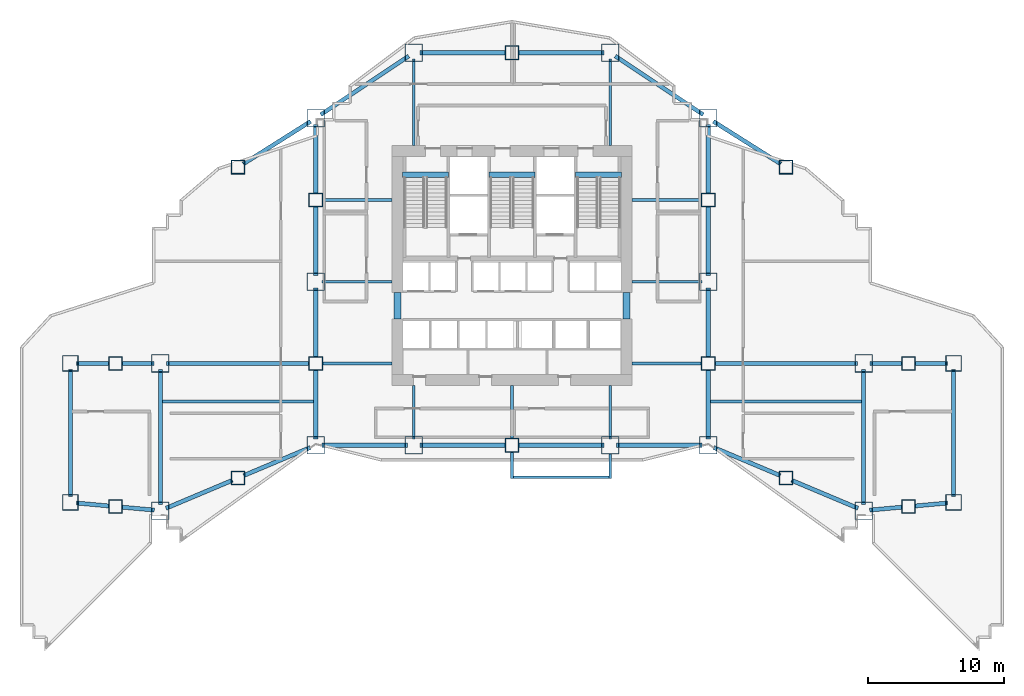
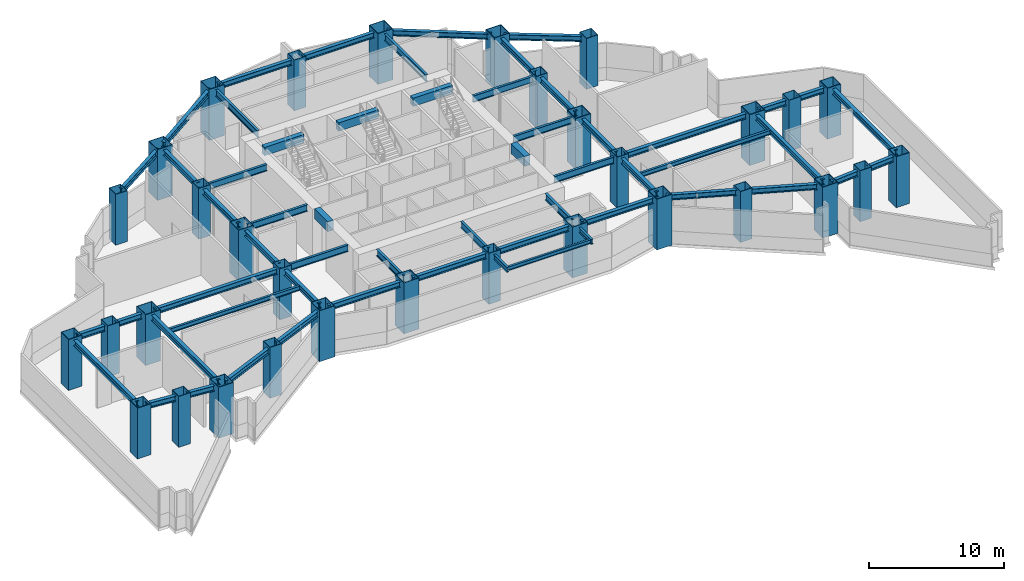
# One storey, part 1 of 12: 57 beams, 32 columns.
"""IFC4 building model written with IfcOpenShell, lengths in metres."""

from ifc_helpers import new_model, si_unit, direction, frame, origin, origin_2d, place, context, subcontext, project, spatial, rectangle, hollow_rectangle, i_section, extrude, material, material_profile, profile_set, type_object, element, save


model = new_model("IFC4")

# Units and contexts
model_context = context("Model", 3, precision=1e-05, world=origin(), true_north=direction((0.0, 1.0)))
body_context = subcontext(model_context, "Body", "Model", "MODEL_VIEW")
ifc_project = project(units=[si_unit("LENGTHUNIT", "METRE"), si_unit("AREAUNIT", "SQUARE_METRE"), si_unit("VOLUMEUNIT", "CUBIC_METRE"), si_unit("PLANEANGLEUNIT", "RADIAN"), si_unit("MASSUNIT", "GRAM", prefix="KILO")], contexts=[model_context])

# Site, building, storey
site_placement = place(None, origin())
site = spatial("IfcSite", under=ifc_project, at=site_placement, CompositionType="ELEMENT")
building_placement = place(site_placement, origin())
building = spatial("IfcBuilding", under=site, at=building_placement, Name="Haolan Belvedere Tower", CompositionType="ELEMENT")
storey_placement = place(building_placement, frame((0.0, 0.0, 43.0)))
storey = spatial("IfcBuildingStorey", under=building, at=storey_placement, Name="L10", CompositionType="ELEMENT", Elevation=43.0)

# Columns
ifc_material_1 = material(Name="Steel Q420GJC", Category="steel")
ifc_material_profile_1 = material_profile(ifc_material_1, hollow_rectangle(XDim=1.0, YDim=1.0, WallThickness=0.0380859375, at=origin_2d()), Name="Steel Q420GJC")
ifc_profile_set_1 = profile_set([ifc_material_profile_1], Name="Steel Q420GJC")
column_type_1 = type_object("IfcColumnType", Name="COL-BOX1000x1000x38", PredefinedType="COLUMN", material=ifc_profile_set_1)
for number, where, z_axis, x_axis, name in (
    (1, (24.0, 27.60009765625, 0.0), (0.0, 0.0, 1.0), (1.0, 0.0, 0.0), "L10 column TC-T3-W1 (BOX1000x1000x38)"),
    (2, (24.0, 39.60009765625, 0.0), (0.0, 0.0, 1.0), (1.0, 0.0, 0.0), "L10 column TC-T3-W2 (BOX1000x1000x38)"),
    (3, (52.800048828125, 27.60009765625, 0.0), (0.0, 0.0, 1.0), (1.0, 0.0, 0.0), "L10 column TC-T3-E1 (BOX1000x1000x38)"),
    (4, (52.800048828125, 39.60009765625, 0.0), (0.0, 0.0, 1.0), (1.0, 0.0, 0.0), "L10 column TC-T3-E2 (BOX1000x1000x38)"),
    (5, (38.39990234375, 21.60009765625, 0.0), (0.0, 0.0, 1.0), (1.0, 0.0, 0.0), "L10 column TC-T3-SM (BOX1000x1000x38)"),
    (6, (38.39990234375, 50.39990234375, 0.0), (0.0, 0.0, 1.0), (1.0, 0.0, 0.0), "L10 column TC-T3-NM (BOX1000x1000x38)"),
    (7, (18.300048828125, 19.199951171875, 0.0), (0.0, 0.0, 1.0), (1.0, 0.0, 0.0), "L10 column TC-T2-S1 (BOX1000x1000x38)"),
    (8, (18.300048828125, 42.0, 0.0), (0.0, 0.0, 1.0), (1.0, 0.0, 0.0), "L10 column TC-T2-N1 (BOX1000x1000x38)"),
    (9, (58.5, 19.199951171875, 0.0), (0.0, 0.0, 1.0), (1.0, 0.0, 0.0), "L10 column TC-T4-S1 (BOX1000x1000x38)"),
    (10, (58.5, 42.0, 0.0), (0.0, 0.0, 1.0), (1.0, 0.0, 0.0), "L10 column TC-T4-N1 (BOX1000x1000x38)"),
    (11, (9.300048828125, 17.10009765625, 0.0), (0.0, 0.0, 1.0), (1.0, 0.0, 0.0), "L10 column TC-T1-M1 (BOX1000x1000x38)"),
    (12, (9.300048828125, 27.60009765625, 0.0), (0.0, 0.0, 1.0), (1.0, 0.0, 0.0), "L10 column TC-T1-M2 (BOX1000x1000x38)"),
    (13, (67.5, 17.10009765625, 0.0), (0.0, 0.0, 1.0), (1.0, 0.0, 0.0), "L10 column TC-T5-M1 (BOX1000x1000x38)"),
    (14, (67.5, 27.60009765625, 0.0), (0.0, 0.0, 1.0), (1.0, 0.0, 0.0), "L10 column TC-T5-M2 (BOX1000x1000x38)"),
):
    element("IfcColumn", number, at=place(storey_placement, frame(where, z_axis=z_axis, x_axis=x_axis)), inside=storey, type_object=column_type_1, Name=name, PredefinedType="COLUMN", context=body_context, shape_type="SweptSolid", body=[
        extrude(hollow_rectangle(XDim=1.0, YDim=1.0, WallThickness=0.0380859375, at=origin_2d()), origin(), (0.0, 0.0, 1.0), 4.60009765625),
    ])
ifc_material_2 = material(Name="Steel Q355B", Category="steel")
ifc_material_profile_2 = material_profile(ifc_material_2, hollow_rectangle(XDim=1.14990234375, YDim=1.14990234375, WallThickness=0.0419921875, at=origin_2d()), Name="Steel Q355B")
ifc_profile_set_2 = profile_set([ifc_material_profile_2], Name="Steel Q355B")
column_type_2 = type_object("IfcColumnType", Name="COL-BOX1150x1150x42", PredefinedType="COLUMN", material=ifc_profile_set_2)
for number, where, z_axis, x_axis, name in (
    (15, (6.0, 17.39990234375, 0.0), (0.0, 0.0, 1.0), (1.0, 0.0, 0.0), "L10 column MC-T1-SW (BOX1150x1150x42)"),
    (16, (6.0, 27.60009765625, 0.0), (0.0, 0.0, 1.0), (1.0, 0.0, 0.0), "L10 column MC-T1-NW (BOX1150x1150x42)"),
    (17, (70.800048828125, 17.39990234375, 0.0), (0.0, 0.0, 1.0), (1.0, 0.0, 0.0), "L10 column MC-T5-SE (BOX1150x1150x42)"),
    (18, (70.800048828125, 27.60009765625, 0.0), (0.0, 0.0, 1.0), (1.0, 0.0, 0.0), "L10 column MC-T5-NE (BOX1150x1150x42)"),
):
    element("IfcColumn", number, at=place(storey_placement, frame(where, z_axis=z_axis, x_axis=x_axis)), inside=storey, type_object=column_type_2, Name=name, PredefinedType="COLUMN", context=body_context, shape_type="SweptSolid", body=[
        extrude(hollow_rectangle(XDim=1.14990234375, YDim=1.14990234375, WallThickness=0.0419921875, at=origin_2d()), origin(), (0.0, 0.0, 1.0), 4.60009765625),
    ])
ifc_material_profile_3 = material_profile(ifc_material_2, hollow_rectangle(XDim=1.300048828125, YDim=1.300048828125, WallThickness=0.048095703125, at=origin_2d()), Name="Steel Q355B")
ifc_profile_set_3 = profile_set([ifc_material_profile_3], Name="Steel Q355B")
column_type_3 = type_object("IfcColumnType", Name="COL-BOX1300x1300x48", PredefinedType="COLUMN", material=ifc_profile_set_3)
for number, where, z_axis, x_axis, name in (
    (19, (24.0, 21.60009765625, 0.0), (0.0, 0.0, 1.0), (1.0, 0.0, 0.0), "L10 column MC-T3-SW (BOX1300x1300x48)"),
    (20, (24.0, 33.60009765625, 0.0), (0.0, 0.0, 1.0), (1.0, 0.0, 0.0), "L10 column MC-T3-MW (BOX1300x1300x48)"),
    (21, (24.0, 45.60009765625, 0.0), (0.0, 0.0, 1.0), (1.0, 0.0, 0.0), "L10 column MC-T3-NW (BOX1300x1300x48)"),
    (22, (52.800048828125, 21.60009765625, 0.0), (0.0, 0.0, 1.0), (1.0, 0.0, 0.0), "L10 column MC-T3-SE (BOX1300x1300x48)"),
    (23, (52.800048828125, 33.60009765625, 0.0), (0.0, 0.0, 1.0), (1.0, 0.0, 0.0), "L10 column MC-T3-ME (BOX1300x1300x48)"),
    (24, (52.800048828125, 45.60009765625, 0.0), (0.0, 0.0, 1.0), (1.0, 0.0, 0.0), "L10 column MC-T3-NE (BOX1300x1300x48)"),
    (25, (31.199951171875, 21.60009765625, 0.0), (0.0, 0.0, 1.0), (1.0, 0.0, 0.0), "L10 column MC-T3-S1 (BOX1300x1300x48)"),
    (26, (45.60009765625, 21.60009765625, 0.0), (0.0, 0.0, 1.0), (1.0, 0.0, 0.0), "L10 column MC-T3-S2 (BOX1300x1300x48)"),
    (27, (31.199951171875, 50.39990234375, 0.0), (0.0, 0.0, 1.0), (1.0, 0.0, 0.0), "L10 column MC-T3-N1 (BOX1300x1300x48)"),
    (28, (45.60009765625, 50.39990234375, 0.0), (0.0, 0.0, 1.0), (1.0, 0.0, 0.0), "L10 column MC-T3-N2 (BOX1300x1300x48)"),
    (29, (12.60009765625, 16.800048828125, 0.0), (0.0, 0.0, 1.0), (1.0, 0.0, 0.0), "L10 column MC-T2-SW (BOX1300x1300x48)"),
    (30, (12.60009765625, 27.60009765625, 0.0), (0.0, 0.0, 1.0), (1.0, 0.0, 0.0), "L10 column MC-T2-MW (BOX1300x1300x48)"),
    (31, (64.199951171875, 16.800048828125, 0.0), (0.0, 0.0, 1.0), (1.0, 0.0, 0.0), "L10 column MC-T4-SE (BOX1300x1300x48)"),
    (32, (64.199951171875, 27.60009765625, 0.0), (0.0, 0.0, 1.0), (1.0, 0.0, 0.0), "L10 column MC-T4-ME (BOX1300x1300x48)"),
):
    element("IfcColumn", number, at=place(storey_placement, frame(where, z_axis=z_axis, x_axis=x_axis)), inside=storey, type_object=column_type_3, Name=name, PredefinedType="COLUMN", context=body_context, shape_type="SweptSolid", body=[
        extrude(hollow_rectangle(XDim=1.300048828125, YDim=1.300048828125, WallThickness=0.048095703125, at=origin_2d()), origin(), (0.0, 0.0, 1.0), 4.60009765625),
    ])

# Beams
ifc_material_profile_4 = material_profile(ifc_material_2, i_section(OverallWidth=0.300048828125, OverallDepth=0.488037109375, WebThickness=0.010986328125, FlangeThickness=0.01806640625, FilletRadius=0.02587890625, at=origin_2d()), Name="Steel Q355B")
ifc_profile_set_4 = profile_set([ifc_material_profile_4], Name="Steel Q355B")
beam_type_1 = type_object("IfcBeamType", Name="BM-HM488x300x11x18", PredefinedType="SPANDREL", material=ifc_profile_set_4)
for number, where, z_axis, x_axis, name in (
    (33, (24.0, 22.050048828125, 4.156005859375), (0.0, 1.0, 0.0), (-1.0, 0.0, 0.0), "L10 spandrel girder MC-T3-SW-TC-T3-W1"),
    (34, (24.0, 28.050048828125, 4.156005859375), (0.0, 1.0, 0.0), (-1.0, 0.0, 0.0), "L10 spandrel girder TC-T3-W1-MC-T3-MW"),
    (35, (24.0, 34.050048828125, 4.156005859375), (0.0, 1.0, 0.0), (-1.0, 0.0, 0.0), "L10 spandrel girder MC-T3-MW-TC-T3-W2"),
    (36, (24.0, 40.050048828125, 4.156005859375), (0.0, 1.0, 0.0), (-1.0, 0.0, 0.0), "L10 spandrel girder TC-T3-W2-MC-T3-NW"),
    (37, (52.800048828125, 22.050048828125, 4.156005859375), (0.0, 1.0, 0.0), (-1.0, 0.0, 0.0), "L10 spandrel girder MC-T3-SE-TC-T3-E1"),
    (38, (52.800048828125, 28.050048828125, 4.156005859375), (0.0, 1.0, 0.0), (-1.0, 0.0, 0.0), "L10 spandrel girder TC-T3-E1-MC-T3-ME"),
    (39, (52.800048828125, 34.050048828125, 4.156005859375), (0.0, 1.0, 0.0), (-1.0, 0.0, 0.0), "L10 spandrel girder MC-T3-ME-TC-T3-E2"),
    (40, (52.800048828125, 40.050048828125, 4.156005859375), (0.0, 1.0, 0.0), (-1.0, 0.0, 0.0), "L10 spandrel girder TC-T3-E2-MC-T3-NE"),
):
    element("IfcBeam", number, at=place(storey_placement, frame(where, z_axis=z_axis, x_axis=x_axis)), inside=storey, type_object=beam_type_1, Name=name, PredefinedType="SPANDREL", context=body_context, shape_type="SweptSolid", body=[
        extrude(i_section(OverallWidth=0.300048828125, OverallDepth=0.488037109375, WebThickness=0.010986328125, FlangeThickness=0.01806640625, FilletRadius=0.02587890625, at=origin_2d()), origin(), (0.0, 0.0, 1.0), 5.099853515625),
    ])
for number, where, z_axis, x_axis, name in (
    (41, (24.449951171875, 21.60009765625, 4.156005859375), (1.0, 0.0, 0.0), (0.0, 1.0, 0.0), "L10 spandrel girder MC-T3-SW-MC-T3-S1"),
    (42, (31.64990234375, 21.60009765625, 4.156005859375), (1.0, 0.0, 0.0), (0.0, 1.0, 0.0), "L10 spandrel girder MC-T3-S1-TC-T3-SM"),
):
    element("IfcBeam", number, at=place(storey_placement, frame(where, z_axis=z_axis, x_axis=x_axis)), inside=storey, type_object=beam_type_1, Name=name, PredefinedType="SPANDREL", context=body_context, shape_type="SweptSolid", body=[
        extrude(i_section(OverallWidth=0.300048828125, OverallDepth=0.488037109375, WebThickness=0.010986328125, FlangeThickness=0.01806640625, FilletRadius=0.02587890625, at=origin_2d()), origin(), (0.0, 0.0, 1.0), 6.300048828125),
    ])
beam_1_placement = place(storey_placement, frame((38.85009765625, 21.60009765625, 4.156005859375), z_axis=(1.0, 0.0, 0.0), x_axis=(0.0, 1.0, 0.0)))
element("IfcBeam", 43, at=beam_1_placement, inside=storey, type_object=beam_type_1, Name="L10 spandrel girder TC-T3-SM-MC-T3-S2", PredefinedType="SPANDREL", context=body_context, shape_type="SweptSolid", body=[
    extrude(i_section(OverallWidth=0.300048828125, OverallDepth=0.488037109375, WebThickness=0.010986328125, FlangeThickness=0.01806640625, FilletRadius=0.02587890625, at=origin_2d()), origin(), (0.0, 0.0, 1.0), 6.2998046875),
])
beam_2_placement = place(storey_placement, frame((46.050048828125, 21.60009765625, 4.156005859375), z_axis=(1.0, 0.0, 0.0), x_axis=(0.0, 1.0, 0.0)))
element("IfcBeam", 44, at=beam_2_placement, inside=storey, type_object=beam_type_1, Name="L10 spandrel girder MC-T3-S2-MC-T3-SE", PredefinedType="SPANDREL", context=body_context, shape_type="SweptSolid", body=[
    extrude(i_section(OverallWidth=0.300048828125, OverallDepth=0.488037109375, WebThickness=0.010986328125, FlangeThickness=0.01806640625, FilletRadius=0.02587890625, at=origin_2d()), origin(), (0.0, 0.0, 1.0), 6.300048828125),
])
beam_3_placement = place(storey_placement, frame((24.37451171875, 45.849609375, 4.156005859375), z_axis=(0.832050294338, 0.554700196225, 0.0), x_axis=(-0.554700196225, 0.832050294338, 0.0)))
element("IfcBeam", 45, at=beam_3_placement, inside=storey, type_object=beam_type_1, Name="L10 spandrel girder MC-T3-NW-MC-T3-N1", PredefinedType="SPANDREL", context=body_context, shape_type="SweptSolid", body=[
    extrude(i_section(OverallWidth=0.300048828125, OverallDepth=0.488037109375, WebThickness=0.010986328125, FlangeThickness=0.01806640625, FilletRadius=0.02587890625, at=origin_2d()), origin(), (0.0, 0.0, 1.0), 7.75341796875),
])
beam_4_placement = place(storey_placement, frame((31.64990234375, 50.39990234375, 4.156005859375), z_axis=(1.0, 0.0, 0.0), x_axis=(0.0, 1.0, 0.0)))
element("IfcBeam", 46, at=beam_4_placement, inside=storey, type_object=beam_type_1, Name="L10 spandrel girder MC-T3-N1-TC-T3-NM", PredefinedType="SPANDREL", context=body_context, shape_type="SweptSolid", body=[
    extrude(i_section(OverallWidth=0.300048828125, OverallDepth=0.488037109375, WebThickness=0.010986328125, FlangeThickness=0.01806640625, FilletRadius=0.02587890625, at=origin_2d()), origin(), (0.0, 0.0, 1.0), 6.300048828125),
])
beam_5_placement = place(storey_placement, frame((38.85009765625, 50.39990234375, 4.156005859375), z_axis=(1.0, 0.0, 0.0), x_axis=(0.0, 1.0, 0.0)))
element("IfcBeam", 47, at=beam_5_placement, inside=storey, type_object=beam_type_1, Name="L10 spandrel girder TC-T3-NM-MC-T3-N2", PredefinedType="SPANDREL", context=body_context, shape_type="SweptSolid", body=[
    extrude(i_section(OverallWidth=0.300048828125, OverallDepth=0.488037109375, WebThickness=0.010986328125, FlangeThickness=0.01806640625, FilletRadius=0.02587890625, at=origin_2d()), origin(), (0.0, 0.0, 1.0), 6.2998046875),
])
beam_6_placement = place(storey_placement, frame((45.974365234375, 50.150390625, 4.156005859375), z_axis=(0.832050294338, -0.554700196225, 0.0), x_axis=(0.554700196225, 0.832050294338, 0.0)))
element("IfcBeam", 48, at=beam_6_placement, inside=storey, type_object=beam_type_1, Name="L10 spandrel girder MC-T3-N2-MC-T3-NE", PredefinedType="SPANDREL", context=body_context, shape_type="SweptSolid", body=[
    extrude(i_section(OverallWidth=0.300048828125, OverallDepth=0.488037109375, WebThickness=0.010986328125, FlangeThickness=0.01806640625, FilletRadius=0.02587890625, at=origin_2d()), origin(), (0.0, 0.0, 1.0), 7.75341796875),
])
beam_7_placement = place(storey_placement, frame((12.60009765625, 17.25, 4.156005859375), z_axis=(0.0, 1.0, 0.0), x_axis=(-1.0, 0.0, 0.0)))
element("IfcBeam", 49, at=beam_7_placement, inside=storey, type_object=beam_type_1, Name="L10 spandrel girder MC-T2-SW-MC-T2-MW", PredefinedType="SPANDREL", context=body_context, shape_type="SweptSolid", body=[
    extrude(i_section(OverallWidth=0.300048828125, OverallDepth=0.488037109375, WebThickness=0.010986328125, FlangeThickness=0.01806640625, FilletRadius=0.02587890625, at=origin_2d()), origin(), (0.0, 0.0, 1.0), 9.89990234375),
])
beam_8_placement = place(storey_placement, frame((13.0146484375, 16.974609375, 4.156005859375), z_axis=(0.921635375138, 0.388057000058, 0.0), x_axis=(-0.388057000058, 0.921635375138, 0.0)))
element("IfcBeam", 50, at=beam_8_placement, inside=storey, type_object=beam_type_1, Name="L10 spandrel girder MC-T2-SW-TC-T2-S1", PredefinedType="SPANDREL", context=body_context, shape_type="SweptSolid", body=[
    extrude(i_section(OverallWidth=0.300048828125, OverallDepth=0.488037109375, WebThickness=0.010986328125, FlangeThickness=0.01806640625, FilletRadius=0.02587890625, at=origin_2d()), origin(), (0.0, 0.0, 1.0), 5.28466796875),
])
beam_9_placement = place(storey_placement, frame((18.71484375, 19.37451171875, 4.156005859375), z_axis=(0.92162841793, 0.388073523014, 0.0), x_axis=(-0.388073523014, 0.92162841793, 0.0)))
element("IfcBeam", 51, at=beam_9_placement, inside=storey, type_object=beam_type_1, Name="L10 spandrel girder TC-T2-S1-MC-T3-SW", PredefinedType="SPANDREL", context=body_context, shape_type="SweptSolid", body=[
    extrude(i_section(OverallWidth=0.300048828125, OverallDepth=0.488037109375, WebThickness=0.010986328125, FlangeThickness=0.01806640625, FilletRadius=0.02587890625, at=origin_2d()), origin(), (0.0, 0.0, 1.0), 5.284423828125),
])
beam_10_placement = place(storey_placement, frame((18.680419921875, 42.240234375, 4.156005859375), z_axis=(0.845497840649, 0.533978839898, 0.0), x_axis=(-0.533978839898, 0.845497840649, 0.0)))
element("IfcBeam", 52, at=beam_10_placement, inside=storey, type_object=beam_type_1, Name="L10 spandrel girder TC-T2-N1-MC-T3-NW", PredefinedType="SPANDREL", context=body_context, shape_type="SweptSolid", body=[
    extrude(i_section(OverallWidth=0.300048828125, OverallDepth=0.488037109375, WebThickness=0.010986328125, FlangeThickness=0.01806640625, FilletRadius=0.02587890625, at=origin_2d()), origin(), (0.0, 0.0, 1.0), 5.841796875),
])
beam_11_placement = place(storey_placement, frame((13.050048828125, 27.60009765625, 4.156005859375), z_axis=(1.0, 0.0, 0.0), x_axis=(0.0, 1.0, 0.0)))
element("IfcBeam", 53, at=beam_11_placement, inside=storey, type_object=beam_type_1, Name="L10 spandrel girder MC-T2-MW-TC-T3-W1", PredefinedType="SPANDREL", context=body_context, shape_type="SweptSolid", body=[
    extrude(i_section(OverallWidth=0.300048828125, OverallDepth=0.488037109375, WebThickness=0.010986328125, FlangeThickness=0.01806640625, FilletRadius=0.02587890625, at=origin_2d()), origin(), (0.0, 0.0, 1.0), 10.5),
])
beam_12_placement = place(storey_placement, frame((64.199951171875, 17.25, 4.156005859375), z_axis=(0.0, 1.0, 0.0), x_axis=(-1.0, 0.0, 0.0)))
element("IfcBeam", 54, at=beam_12_placement, inside=storey, type_object=beam_type_1, Name="L10 spandrel girder MC-T4-SE-MC-T4-ME", PredefinedType="SPANDREL", context=body_context, shape_type="SweptSolid", body=[
    extrude(i_section(OverallWidth=0.300048828125, OverallDepth=0.488037109375, WebThickness=0.010986328125, FlangeThickness=0.01806640625, FilletRadius=0.02587890625, at=origin_2d()), origin(), (0.0, 0.0, 1.0), 9.89990234375),
])
for number, where, z_axis, x_axis, name in (
    (55, (53.21484375, 21.42529296875, 4.156005859375), (0.92162841793, -0.388073523014, 0.0), (0.388073523014, 0.92162841793, 0.0), "L10 spandrel girder MC-T3-SE-TC-T4-S1"),
    (56, (58.914794921875, 19.025390625, 4.156005859375), (0.92162841793, -0.388073523014, 0.0), (0.388073523014, 0.92162841793, 0.0), "L10 spandrel girder TC-T4-S1-MC-T4-SE"),
):
    element("IfcBeam", number, at=place(storey_placement, frame(where, z_axis=z_axis, x_axis=x_axis)), inside=storey, type_object=beam_type_1, Name=name, PredefinedType="SPANDREL", context=body_context, shape_type="SweptSolid", body=[
        extrude(i_section(OverallWidth=0.300048828125, OverallDepth=0.488037109375, WebThickness=0.010986328125, FlangeThickness=0.01806640625, FilletRadius=0.02587890625, at=origin_2d()), origin(), (0.0, 0.0, 1.0), 5.284423828125),
    ])
beam_13_placement = place(storey_placement, frame((53.180419921875, 45.359619140625, 4.156005859375), z_axis=(0.845497840649, -0.533978839898, 0.0), x_axis=(0.533978839898, 0.845497840649, 0.0)))
element("IfcBeam", 57, at=beam_13_placement, inside=storey, type_object=beam_type_1, Name="L10 spandrel girder MC-T3-NE-TC-T4-N1", PredefinedType="SPANDREL", context=body_context, shape_type="SweptSolid", body=[
    extrude(i_section(OverallWidth=0.300048828125, OverallDepth=0.488037109375, WebThickness=0.010986328125, FlangeThickness=0.01806640625, FilletRadius=0.02587890625, at=origin_2d()), origin(), (0.0, 0.0, 1.0), 5.841796875),
])
beam_14_placement = place(storey_placement, frame((53.25, 27.60009765625, 4.156005859375), z_axis=(1.0, 0.0, 0.0), x_axis=(0.0, 1.0, 0.0)))
element("IfcBeam", 58, at=beam_14_placement, inside=storey, type_object=beam_type_1, Name="L10 spandrel girder TC-T3-E1-MC-T4-ME", PredefinedType="SPANDREL", context=body_context, shape_type="SweptSolid", body=[
    extrude(i_section(OverallWidth=0.300048828125, OverallDepth=0.488037109375, WebThickness=0.010986328125, FlangeThickness=0.01806640625, FilletRadius=0.02587890625, at=origin_2d()), origin(), (0.0, 0.0, 1.0), 10.5),
])
beam_15_placement = place(storey_placement, frame((6.0, 17.85009765625, 4.156005859375), z_axis=(0.0, 1.0, 0.0), x_axis=(-1.0, 0.0, 0.0)))
element("IfcBeam", 59, at=beam_15_placement, inside=storey, type_object=beam_type_1, Name="L10 spandrel girder MC-T1-SW-MC-T1-NW", PredefinedType="SPANDREL", context=body_context, shape_type="SweptSolid", body=[
    extrude(i_section(OverallWidth=0.300048828125, OverallDepth=0.488037109375, WebThickness=0.010986328125, FlangeThickness=0.01806640625, FilletRadius=0.02587890625, at=origin_2d()), origin(), (0.0, 0.0, 1.0), 9.2998046875),
])
beam_16_placement = place(storey_placement, frame((6.4482421875, 17.359375, 4.156005859375), z_axis=(0.995884080761, -0.090636072764, 0.0), x_axis=(0.090636072764, 0.995884080761, 0.0)))
element("IfcBeam", 60, at=beam_16_placement, inside=storey, type_object=beam_type_1, Name="L10 spandrel girder MC-T1-SW-TC-T1-M1", PredefinedType="SPANDREL", context=body_context, shape_type="SweptSolid", body=[
    extrude(i_section(OverallWidth=0.300048828125, OverallDepth=0.488037109375, WebThickness=0.010986328125, FlangeThickness=0.01806640625, FilletRadius=0.02587890625, at=origin_2d()), origin(), (0.0, 0.0, 1.0), 2.41357421875),
])
beam_17_placement = place(storey_placement, frame((9.748046875, 17.059326171875, 4.156005859375), z_axis=(0.9958940355, -0.090526626221, 0.0), x_axis=(0.090526626221, 0.9958940355, 0.0)))
element("IfcBeam", 61, at=beam_17_placement, inside=storey, type_object=beam_type_1, Name="L10 spandrel girder TC-T1-M1-MC-T2-SW", PredefinedType="SPANDREL", context=body_context, shape_type="SweptSolid", body=[
    extrude(i_section(OverallWidth=0.300048828125, OverallDepth=0.488037109375, WebThickness=0.010986328125, FlangeThickness=0.01806640625, FilletRadius=0.02587890625, at=origin_2d()), origin(), (0.0, 0.0, 1.0), 2.413818359375),
])
beam_18_placement = place(storey_placement, frame((6.449951171875, 27.60009765625, 4.156005859375), z_axis=(1.0, 0.0, 0.0), x_axis=(0.0, 1.0, 0.0)))
element("IfcBeam", 62, at=beam_18_placement, inside=storey, type_object=beam_type_1, Name="L10 spandrel girder MC-T1-NW-TC-T1-M2", PredefinedType="SPANDREL", context=body_context, shape_type="SweptSolid", body=[
    extrude(i_section(OverallWidth=0.300048828125, OverallDepth=0.488037109375, WebThickness=0.010986328125, FlangeThickness=0.01806640625, FilletRadius=0.02587890625, at=origin_2d()), origin(), (0.0, 0.0, 1.0), 2.400146484375),
])
beam_19_placement = place(storey_placement, frame((9.75, 27.60009765625, 4.156005859375), z_axis=(1.0, 0.0, 0.0), x_axis=(0.0, 1.0, 0.0)))
element("IfcBeam", 63, at=beam_19_placement, inside=storey, type_object=beam_type_1, Name="L10 spandrel girder TC-T1-M2-MC-T2-MW", PredefinedType="SPANDREL", context=body_context, shape_type="SweptSolid", body=[
    extrude(i_section(OverallWidth=0.300048828125, OverallDepth=0.488037109375, WebThickness=0.010986328125, FlangeThickness=0.01806640625, FilletRadius=0.02587890625, at=origin_2d()), origin(), (0.0, 0.0, 1.0), 2.39990234375),
])
beam_20_placement = place(storey_placement, frame((70.800048828125, 17.85009765625, 4.156005859375), z_axis=(0.0, 1.0, 0.0), x_axis=(-1.0, 0.0, 0.0)))
element("IfcBeam", 64, at=beam_20_placement, inside=storey, type_object=beam_type_1, Name="L10 spandrel girder MC-T5-SE-MC-T5-NE", PredefinedType="SPANDREL", context=body_context, shape_type="SweptSolid", body=[
    extrude(i_section(OverallWidth=0.300048828125, OverallDepth=0.488037109375, WebThickness=0.010986328125, FlangeThickness=0.01806640625, FilletRadius=0.02587890625, at=origin_2d()), origin(), (0.0, 0.0, 1.0), 9.2998046875),
])
for number, where, z_axis, x_axis, name in (
    (65, (64.648193359375, 16.8408203125, 4.156005859375), (0.995893206468, 0.090535746043, 0.0), (-0.090535746043, 0.995893206468, 0.0), "L10 spandrel girder MC-T4-SE-TC-T5-M1"),
    (66, (67.9482421875, 17.140625, 4.156005859375), (0.995884080761, 0.090636072764, 0.0), (-0.090636072764, 0.995884080761, 0.0), "L10 spandrel girder TC-T5-M1-MC-T5-SE"),
):
    element("IfcBeam", number, at=place(storey_placement, frame(where, z_axis=z_axis, x_axis=x_axis)), inside=storey, type_object=beam_type_1, Name=name, PredefinedType="SPANDREL", context=body_context, shape_type="SweptSolid", body=[
        extrude(i_section(OverallWidth=0.300048828125, OverallDepth=0.488037109375, WebThickness=0.010986328125, FlangeThickness=0.01806640625, FilletRadius=0.02587890625, at=origin_2d()), origin(), (0.0, 0.0, 1.0), 2.41357421875),
    ])
for number, where, z_axis, x_axis, name in (
    (67, (64.64990234375, 27.60009765625, 4.156005859375), (1.0, 0.0, 0.0), (0.0, 1.0, 0.0), "L10 spandrel girder MC-T4-ME-TC-T5-M2"),
    (68, (67.949951171875, 27.60009765625, 4.156005859375), (1.0, 0.0, 0.0), (0.0, 1.0, 0.0), "L10 spandrel girder TC-T5-M2-MC-T5-NE"),
):
    element("IfcBeam", number, at=place(storey_placement, frame(where, z_axis=z_axis, x_axis=x_axis)), inside=storey, type_object=beam_type_1, Name=name, PredefinedType="SPANDREL", context=body_context, shape_type="SweptSolid", body=[
        extrude(i_section(OverallWidth=0.300048828125, OverallDepth=0.488037109375, WebThickness=0.010986328125, FlangeThickness=0.01806640625, FilletRadius=0.02587890625, at=origin_2d()), origin(), (0.0, 0.0, 1.0), 2.400146484375),
    ])
ifc_material_profile_5 = material_profile(ifc_material_2, i_section(OverallWidth=0.175048828125, OverallDepth=0.35009765625, WebThickness=0.007080078125, FlangeThickness=0.010986328125, FilletRadius=0.012939453125, at=origin_2d()), Name="Steel Q355B")
ifc_profile_set_5 = profile_set([ifc_material_profile_5], Name="Steel Q355B")
beam_type_2 = type_object("IfcBeamType", Name="BM-HN350x175x7x11", PredefinedType="JOIST", material=ifc_profile_set_5)
beam_21_placement = place(storey_placement, frame((38.5, 19.239990234375, 4.195068359375), z_axis=(1.0, 0.0, 0.0), x_axis=(0.0, 1.0, 0.0)))
element("IfcBeam", 69, at=beam_21_placement, inside=storey, type_object=beam_type_2, Name="L11 tree-balcony front trimmer beam 1", PredefinedType="BEAM", context=body_context, shape_type="SweptSolid", body=[
    extrude(i_section(OverallWidth=0.175048828125, OverallDepth=0.35009765625, WebThickness=0.007080078125, FlangeThickness=0.010986328125, FilletRadius=0.012939453125, at=origin_2d()), origin(), (0.0, 0.0, 1.0), 7.0),
])
ifc_material_profile_6 = material_profile(ifc_material_2, i_section(OverallWidth=0.199951171875, OverallDepth=0.39990234375, WebThickness=0.008056640625, FlangeThickness=0.012939453125, FilletRadius=0.01611328125, at=origin_2d()), Name="Steel Q355B")
ifc_profile_set_6 = profile_set([ifc_material_profile_6], Name="Steel Q355B")
beam_type_3 = type_object("IfcBeamType", Name="BM-HN400x200x8x13", PredefinedType="JOIST", material=ifc_profile_set_6)
for number, where, z_axis, x_axis, name in (
    (70, (12.75, 24.800048828125, 4.199951171875), (1.0, 0.0, 0.0), (0.0, 1.0, 0.0), "L10 west wing floor joist 1"),
    (71, (52.949951171875, 24.800048828125, 4.199951171875), (1.0, 0.0, 0.0), (0.0, 1.0, 0.0), "L10 east wing floor joist 1"),
):
    element("IfcBeam", number, at=place(storey_placement, frame(where, z_axis=z_axis, x_axis=x_axis)), inside=storey, type_object=beam_type_3, Name=name, PredefinedType="JOIST", context=body_context, shape_type="SweptSolid", body=[
        extrude(i_section(OverallWidth=0.199951171875, OverallDepth=0.39990234375, WebThickness=0.008056640625, FlangeThickness=0.012939453125, FilletRadius=0.01611328125, at=origin_2d()), origin(), (0.0, 0.0, 1.0), 11.10009765625),
    ])
ifc_material_profile_7 = material_profile(ifc_material_2, i_section(OverallWidth=0.199951171875, OverallDepth=0.449951171875, WebThickness=0.009033203125, FlangeThickness=0.013916015625, FilletRadius=0.01611328125, at=origin_2d()), Name="Steel Q355B")
ifc_profile_set_7 = profile_set([ifc_material_profile_7], Name="Steel Q355B")
beam_type_4 = type_object("IfcBeamType", Name="BM-HN450x200x9x14", PredefinedType="BEAM", material=ifc_profile_set_7)
beam_22_placement = place(storey_placement, frame((38.39990234375, 21.10009765625, 4.14501953125), z_axis=(0.0, -1.0, 0.0), x_axis=(1.0, 0.0, 0.0)))
element("IfcBeam", 72, at=beam_22_placement, inside=storey, type_object=beam_type_4, Name="L11 tree-balcony column cantilever TC-T3-SM", PredefinedType="BEAM", context=body_context, shape_type="SweptSolid", body=[
    extrude(i_section(OverallWidth=0.199951171875, OverallDepth=0.449951171875, WebThickness=0.009033203125, FlangeThickness=0.013916015625, FilletRadius=0.01611328125, at=origin_2d()), origin(), (0.0, 0.0, 1.0), 1.960205078125),
])
beam_23_placement = place(storey_placement, frame((45.60009765625, 20.949951171875, 4.14501953125), z_axis=(0.0, -1.0, 0.0), x_axis=(1.0, 0.0, 0.0)))
element("IfcBeam", 73, at=beam_23_placement, inside=storey, type_object=beam_type_4, Name="L11 tree-balcony column cantilever MC-T3-S2", PredefinedType="BEAM", context=body_context, shape_type="SweptSolid", body=[
    extrude(i_section(OverallWidth=0.199951171875, OverallDepth=0.449951171875, WebThickness=0.009033203125, FlangeThickness=0.013916015625, FilletRadius=0.01611328125, at=origin_2d()), origin(), (0.0, 0.0, 1.0), 1.81005859375),
])
ifc_material_profile_8 = material_profile(ifc_material_2, i_section(OverallWidth=0.199951171875, OverallDepth=0.60009765625, WebThickness=0.010986328125, FlangeThickness=0.01708984375, FilletRadius=0.02197265625, at=origin_2d()), Name="Steel Q355B")
ifc_profile_set_8 = profile_set([ifc_material_profile_8], Name="Steel Q355B")
beam_type_5 = type_object("IfcBeamType", Name="BM-HN600x200x11x17", PredefinedType="BEAM", material=ifc_profile_set_8)
for number, where, z_axis, x_axis, name in (
    (74, (24.449951171875, 33.60009765625, 4.10009765625), (1.0, 0.0, 0.0), (0.0, 1.0, 0.0), "L10 core tie beam from MC-T3-MW"),
    (75, (24.449951171875, 27.60009765625, 4.10009765625), (1.0, 0.0, 0.0), (0.0, 1.0, 0.0), "L10 core tie beam from TC-T3-W1"),
    (76, (24.449951171875, 39.60009765625, 4.10009765625), (1.0, 0.0, 0.0), (0.0, 1.0, 0.0), "L10 core tie beam from TC-T3-W2"),
    (77, (52.35009765625, 33.60009765625, 4.10009765625), (-1.0, 0.0, 0.0), (0.0, -1.0, 0.0), "L10 core tie beam from MC-T3-ME"),
    (78, (52.35009765625, 27.60009765625, 4.10009765625), (-1.0, 0.0, 0.0), (0.0, -1.0, 0.0), "L10 core tie beam from TC-T3-E1"),
    (79, (52.35009765625, 39.60009765625, 4.10009765625), (-1.0, 0.0, 0.0), (0.0, -1.0, 0.0), "L10 core tie beam from TC-T3-E2"),
):
    element("IfcBeam", number, at=place(storey_placement, frame(where, z_axis=z_axis, x_axis=x_axis)), inside=storey, type_object=beam_type_5, Name=name, PredefinedType="BEAM", context=body_context, shape_type="SweptSolid", body=[
        extrude(i_section(OverallWidth=0.199951171875, OverallDepth=0.60009765625, WebThickness=0.010986328125, FlangeThickness=0.01708984375, FilletRadius=0.02197265625, at=origin_2d()), origin(), (0.0, 0.0, 1.0), 5.150146484375),
    ])
for number, where, z_axis, x_axis, name in (
    (80, (31.199951171875, 22.050048828125, 4.10009765625), (0.0, 1.0, 0.0), (-1.0, 0.0, 0.0), "L10 core tie beam from MC-T3-S1"),
    (81, (38.39990234375, 22.050048828125, 4.10009765625), (0.0, 1.0, 0.0), (-1.0, 0.0, 0.0), "L10 core tie beam from TC-T3-SM"),
    (82, (45.60009765625, 22.050048828125, 4.10009765625), (0.0, 1.0, 0.0), (-1.0, 0.0, 0.0), "L10 core tie beam from MC-T3-S2"),
):
    element("IfcBeam", number, at=place(storey_placement, frame(where, z_axis=z_axis, x_axis=x_axis)), inside=storey, type_object=beam_type_5, Name=name, PredefinedType="BEAM", context=body_context, shape_type="SweptSolid", body=[
        extrude(i_section(OverallWidth=0.199951171875, OverallDepth=0.60009765625, WebThickness=0.010986328125, FlangeThickness=0.01708984375, FilletRadius=0.02197265625, at=origin_2d()), origin(), (0.0, 0.0, 1.0), 3.949951171875),
    ])
for number, where, z_axis, x_axis, name in (
    (83, (31.199951171875, 49.949951171875, 4.10009765625), (0.0, -1.0, 0.0), (1.0, 0.0, 0.0), "L10 core tie beam from MC-T3-N1"),
    (84, (45.60009765625, 49.949951171875, 4.10009765625), (0.0, -1.0, 0.0), (1.0, 0.0, 0.0), "L10 core tie beam from MC-T3-N2"),
):
    element("IfcBeam", number, at=place(storey_placement, frame(where, z_axis=z_axis, x_axis=x_axis)), inside=storey, type_object=beam_type_5, Name=name, PredefinedType="BEAM", context=body_context, shape_type="SweptSolid", body=[
        extrude(i_section(OverallWidth=0.199951171875, OverallDepth=0.60009765625, WebThickness=0.010986328125, FlangeThickness=0.01708984375, FilletRadius=0.02197265625, at=origin_2d()), origin(), (0.0, 0.0, 1.0), 6.349853515625),
    ])
ifc_material_3 = material(Name="Concrete C50/60", Category="concrete")
ifc_material_profile_9 = material_profile(ifc_material_3, rectangle(XDim=0.39990234375, YDim=0.75, at=origin_2d()), Name="Concrete C50/60")
ifc_profile_set_9 = profile_set([ifc_material_profile_9], Name="Concrete C50/60")
beam_type_6 = type_object("IfcBeamType", Name="BM-RC400x750", PredefinedType="T_BEAM", material=ifc_profile_set_9)
beam_24_placement = place(storey_placement, frame((30.3798828125, 41.429931640625, 4.22509765625), z_axis=(1.0, 0.0, 0.0), x_axis=(0.0, 1.0, 0.0)))
element("IfcBeam", 85, at=beam_24_placement, inside=storey, type_object=beam_type_6, Name="L11 stair ST1 RC header trimmer beam", PredefinedType="BEAM", context=body_context, shape_type="SweptSolid", body=[
    extrude(rectangle(XDim=0.39990234375, YDim=0.75, at=origin_2d()), origin(), (0.0, 0.0, 1.0), 3.360107421875),
])
beam_25_placement = place(storey_placement, frame((36.699951171875, 41.429931640625, 4.22509765625), z_axis=(1.0, 0.0, 0.0), x_axis=(0.0, 1.0, 0.0)))
element("IfcBeam", 86, at=beam_25_placement, inside=storey, type_object=beam_type_6, Name="L11 stair ST3 RC header trimmer beam", PredefinedType="BEAM", context=body_context, shape_type="SweptSolid", body=[
    extrude(rectangle(XDim=0.39990234375, YDim=0.75, at=origin_2d()), origin(), (0.0, 0.0, 1.0), 3.400146484375),
])
beam_26_placement = place(storey_placement, frame((43.06005859375, 41.429931640625, 4.22509765625), z_axis=(1.0, 0.0, 0.0), x_axis=(0.0, 1.0, 0.0)))
element("IfcBeam", 87, at=beam_26_placement, inside=storey, type_object=beam_type_6, Name="L11 stair ST2 RC header trimmer beam", PredefinedType="BEAM", context=body_context, shape_type="SweptSolid", body=[
    extrude(rectangle(XDim=0.39990234375, YDim=0.75, at=origin_2d()), origin(), (0.0, 0.0, 1.0), 3.35986328125),
])
ifc_material_4 = material(Name="Concrete C60/75", Category="concrete")
ifc_material_profile_10 = material_profile(ifc_material_4, rectangle(XDim=0.5, YDim=0.89990234375, at=origin_2d()), Name="Concrete C60/75")
ifc_profile_set_10 = profile_set([ifc_material_profile_10], Name="Concrete C60/75")
beam_type_7 = type_object("IfcBeamType", Name="BM-RC500x900", PredefinedType="LINTEL", material=ifc_profile_set_10)
for number, where, z_axis, x_axis, name in (
    (88, (30.0, 30.85009765625, 3.949951171875), (0.0, 1.0, 0.0), (-1.0, 0.0, 0.0), "L10 west core coupling beam CB-01"),
    (89, (46.800048828125, 30.85009765625, 3.949951171875), (0.0, 1.0, 0.0), (-1.0, 0.0, 0.0), "L10 east core coupling beam CB-01"),
):
    element("IfcBeam", number, at=place(storey_placement, frame(where, z_axis=z_axis, x_axis=x_axis)), inside=storey, type_object=beam_type_7, Name=name, PredefinedType="LINTEL", context=body_context, shape_type="SweptSolid", body=[
        extrude(rectangle(XDim=0.5, YDim=0.89990234375, at=origin_2d()), origin(), (0.0, 0.0, 1.0), 1.949951171875),
    ])

save(model, "model.ifc")
